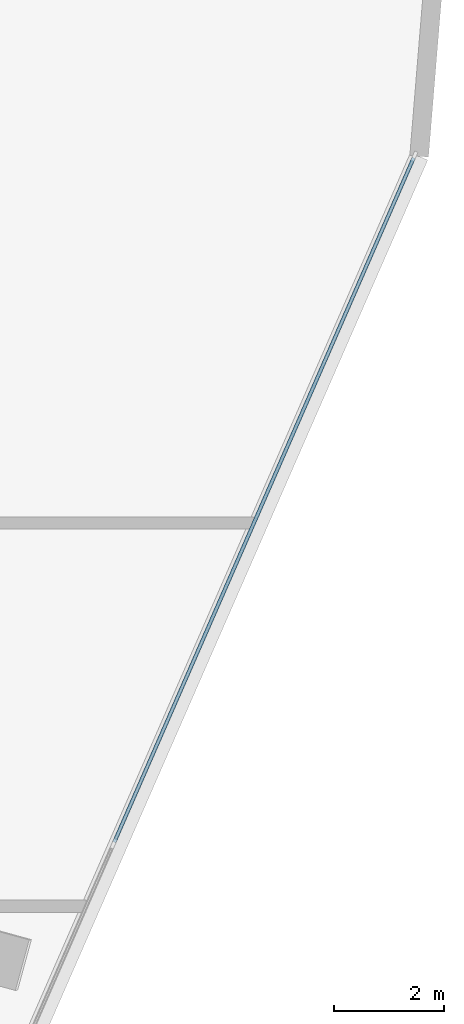
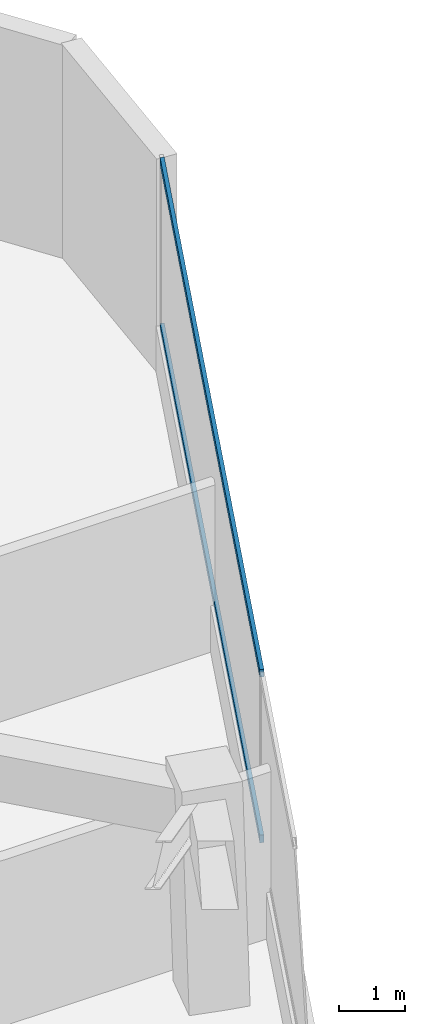
# One storey, part 11 of 20: 2 members, 1 element without a shape of its own.
"""IFC4 building model written with IfcOpenShell, lengths in metres."""

from ifc_helpers import new_model, si_unit, direction, frame, origin, origin_2d, place, context, subcontext, project, spatial, rectangle, extrude, material, layer, layer_set, material_profile, profile_set, type_object, element, aggregate, save


model = new_model("IFC4")

# Units and contexts
model_context = context("Model", 3, precision=1e-05, world=origin(), true_north=direction((0.0, 1.0)))
body_context = subcontext(model_context, "Body", "Model", "MODEL_VIEW")
ifc_project = project(units=[si_unit("LENGTHUNIT", "METRE"), si_unit("AREAUNIT", "SQUARE_METRE"), si_unit("VOLUMEUNIT", "CUBIC_METRE"), si_unit("PLANEANGLEUNIT", "RADIAN"), si_unit("MASSUNIT", "GRAM", prefix="KILO")], contexts=[model_context])

# Site, building, storey
site_placement = place(None, origin())
site = spatial("IfcSite", under=ifc_project, at=site_placement, CompositionType="ELEMENT")
building_placement = place(site_placement, origin())
building = spatial("IfcBuilding", under=site, at=building_placement, Name="Talyreon Biosciences Tower", CompositionType="ELEMENT")
storey_placement = place(building_placement, frame((0.0, 0.0, 70.800048828125)))
storey = spatial("IfcBuildingStorey", under=building, at=storey_placement, Name="L18", CompositionType="ELEMENT", Elevation=70.800048828125)

# Curtain wall, members
ifc_material_1 = material(Name="Thermally broken aluminium and low-E glazing", Category="aluminium")
ifc_layer = layer(ifc_material_1, 0.195068359375)
ifc_layer_set = layer_set([ifc_layer], Name="Thermally broken aluminium and low-E glazing")
curtain_wall_type = type_object("IfcCurtainWallType", Name="CurtainWall_Zone1WetLab", PredefinedType="NOTDEFINED", material=ifc_layer_set)
curtain_wall_placement = place(storey_placement, origin())
curtain_wall = element("IfcCurtainWall", 1, at=curtain_wall_placement, inside=storey, type_object=curtain_wall_type, Name="L18 Unitised Curtain Wall FCW-L18-08", PredefinedType="NOTDEFINED")
ifc_material_2 = material(Name="Anodised thermally broken aluminium", Category="aluminium")
ifc_material_profile = material_profile(ifc_material_2, rectangle(XDim=0.06494140625, YDim=0.139892578125, at=origin_2d()), Name="ALUM TRANSOM 65x140")
ifc_profile_set = profile_set([ifc_material_profile], Name="Anodised thermally broken aluminium")
member_type = type_object("IfcMemberType", Name="CWTransom_65x140", PredefinedType="USERDEFINED", material=ifc_profile_set)
member_1_placement = place(storey_placement, frame((98.0146484375, 83.775146484375, 0.842529296875), z_axis=(-0.400830177027, -0.916152372253, 0.0), x_axis=(0.916152372253, -0.400830177027, 0.0)))
member_1 = element("IfcMember", 2, at=member_1_placement, type_object=member_type, Name="CW2 transom 1.1", ObjectType="TRANSOM", PredefinedType="USERDEFINED", context=body_context, shape_type="SweptSolid", body=[
    extrude(rectangle(XDim=0.06494140625, YDim=0.139892578125, at=origin_2d()), origin(), (0.0, 0.0, 1.0), 13.549072265625),
])
member_2_placement = place(storey_placement, frame((98.0146484375, 83.775146484375, 3.892333984375), z_axis=(-0.400830177027, -0.916152372253, 0.0), x_axis=(0.916152372253, -0.400830177027, 0.0)))
member_2 = element("IfcMember", 3, at=member_2_placement, type_object=member_type, Name="CW2 transom 1.2", ObjectType="TRANSOM", PredefinedType="USERDEFINED", context=body_context, shape_type="SweptSolid", body=[
    extrude(rectangle(XDim=0.06494140625, YDim=0.139892578125, at=origin_2d()), origin(), (0.0, 0.0, 1.0), 13.549072265625),
])
aggregate(curtain_wall, [member_1, member_2])

save(model, "model.ifc")
